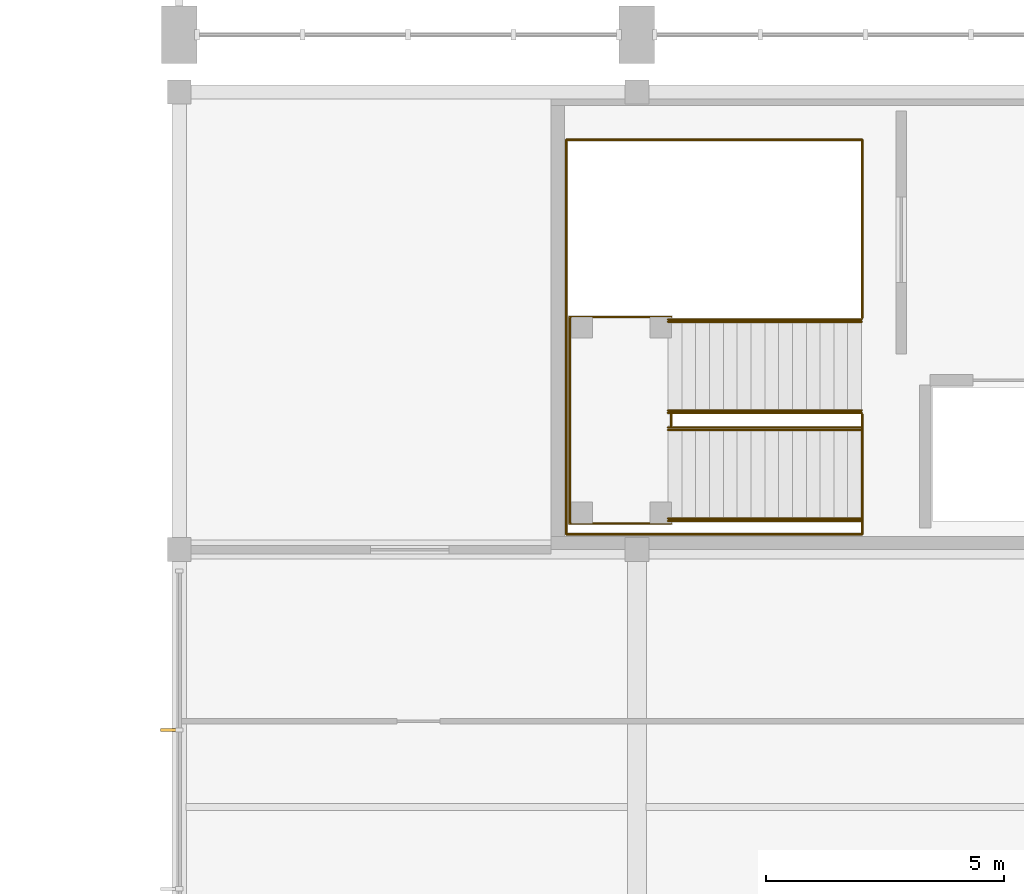
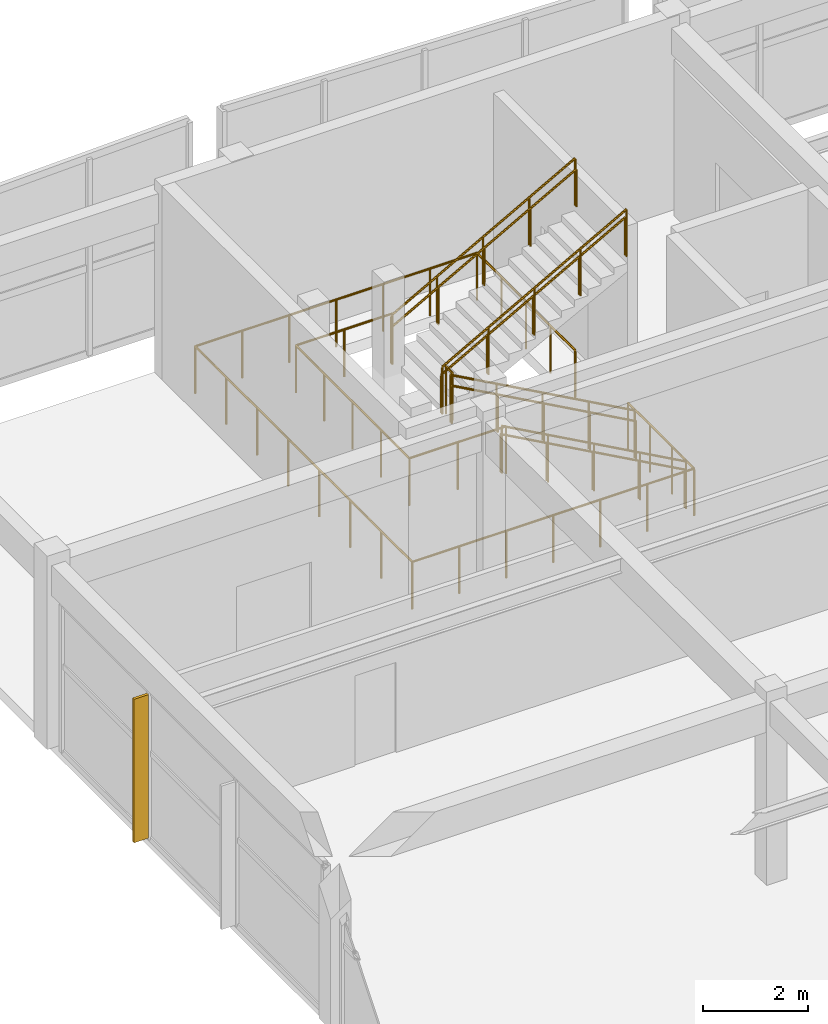
# One storey, part 85 of 89: 11 railings, 1 shading device.
"""IFC4 building model written with IfcOpenShell, lengths in metres."""

import ifcopenshell
import ifcopenshell.guid

model = None  # the IFC model being written
_history = None  # IfcOwnerHistory: only IFC2X3 demands one
_inside = {}  # id of a spatial element -> (the spatial element, [elements in it])
_under = {}  # id of a project, library or spatial element -> (it, [spatial elements below it])
_declared = {}  # id of a project -> (the project, [libraries it declares])
_typed = {}  # id of a type object -> (the type object, [elements of that type])
_made_of = {}  # id of a material, layer set ... -> (it, [elements and type objects made of it])


def new_model(schema):
    """Start an empty IFC model of exactly this schema.

    Asked for "IFC4X3", IfcOpenShell would pick the latest addendum, in which some entities
    have other attributes; the version numbers below select the first issue.
    IFC2X3 requires an IfcOwnerHistory on every rooted entity: one is made here for all.
    """
    global model, _history
    if schema == "IFC4X3":
        model = ifcopenshell.file(schema_version=(4, 3, 0, 0))
    else:
        model = ifcopenshell.file(schema=schema)
    _inside.clear()
    _under.clear()
    _declared.clear()
    _typed.clear()
    _made_of.clear()
    _history = None
    if model.schema == "IFC2X3":
        org = make("IfcOrganization", Name="unknown")
        user = make(
            "IfcPersonAndOrganization",
            ThePerson=make("IfcPerson", FamilyName="unknown"),
            TheOrganization=org,
        )
        app = make(
            "IfcApplication",
            ApplicationDeveloper=org,
            Version="unknown",
            ApplicationFullName="unknown",
            ApplicationIdentifier="unknown",
        )
        _history = make(
            "IfcOwnerHistory",
            OwningUser=user,
            OwningApplication=app,
            ChangeAction="ADDED",
            CreationDate=0,
        )
    return model


def make(cls, **values):
    """One entity of the class cls with the attributes given. An attribute that is None is left unset."""
    return model.create_entity(
        cls, **{name: value for name, value in values.items() if value is not None}
    )


def rooted(cls, **values):
    """An entity with a GlobalId (a new one), such as an element, a storey or a relation."""
    return make(cls, GlobalId=ifcopenshell.guid.new(), OwnerHistory=_history, **values)


def si_unit(unit_type, name, prefix=None):
    """IfcSIUnit, for example si_unit("LENGTHUNIT", "METRE", prefix="MILLI")."""
    return make("IfcSIUnit", UnitType=unit_type, Prefix=prefix, Name=name)


def assignment(units):
    """IfcUnitAssignment: the units of a project."""
    return None if units is None else make("IfcUnitAssignment", Units=units)


def point(xyz):
    """IfcCartesianPoint."""
    return None if xyz is None else make("IfcCartesianPoint", Coordinates=xyz)


def direction(xyz):
    """IfcDirection."""
    return None if xyz is None else make("IfcDirection", DirectionRatios=xyz)


def frame(location, z_axis=None, x_axis=None):
    """IfcAxis2Placement3D, a coordinate frame: its origin and axes. An axis left out is left unset."""
    return make(
        "IfcAxis2Placement3D",
        Location=point(location),
        Axis=direction(z_axis),
        RefDirection=direction(x_axis),
    )


def frame_2d(location, x_axis=None):
    """IfcAxis2Placement2D, a coordinate frame in the plane: its origin and x axis."""
    return make(
        "IfcAxis2Placement2D", Location=point(location), RefDirection=direction(x_axis)
    )


def origin():
    """The frame at (0, 0, 0) with its axes left unset."""
    return frame((0.0, 0.0, 0.0))


def origin_2d():
    """The frame at (0, 0) in the plane with its x axis left unset."""
    return frame_2d((0.0, 0.0))


def place(relative_to, where):
    """IfcLocalPlacement: puts the frame where relative to a parent placement (None: the world)."""
    return make(
        "IfcLocalPlacement", PlacementRelTo=relative_to, RelativePlacement=where
    )


def context(
    kind, dimensions, precision=None, world=None, true_north=None, identifier=None
):
    """IfcGeometricRepresentationContext, for example the 3D "Model" context."""
    return make(
        "IfcGeometricRepresentationContext",
        ContextIdentifier=identifier,
        ContextType=kind,
        CoordinateSpaceDimension=dimensions,
        Precision=precision,
        WorldCoordinateSystem=world,
        TrueNorth=true_north,
    )


def subcontext(parent, identifier, kind, view, scale=None):
    """IfcGeometricRepresentationSubContext, for example "Body" below "Model"."""
    return make(
        "IfcGeometricRepresentationSubContext",
        ContextIdentifier=identifier,
        ContextType=kind,
        ParentContext=parent,
        TargetScale=scale,
        TargetView=view,
    )


def project(units=None, contexts=None):
    """IfcProject with its units and contexts."""
    return rooted(
        "IfcProject",
        Name="project",
        RepresentationContexts=contexts,
        UnitsInContext=assignment(units),
    )


def spatial(cls, under=None, at=None, **own):
    """A site, building, storey or space (cls), placed at a placement, below another one or the project."""
    s = rooted(cls, ObjectPlacement=at, **own)
    if under is not None:
        _under.setdefault(under.id(), (under, []))[1].append(s)
    return s


def profile(cls, at=None, kind="AREA", **sizes):
    """A parametric profile (cls). Its sizes go by their IFC names, for example OverallWidth=200.0."""
    return make(cls, ProfileType=kind, Position=at, **sizes)


def rectangle(**sizes):
    """IfcRectangleProfileDef."""
    return profile("IfcRectangleProfileDef", **sizes)


def circle(**sizes):
    """IfcCircleProfileDef."""
    return profile("IfcCircleProfileDef", **sizes)


def extrude(swept, where, along, depth):
    """IfcExtrudedAreaSolid: the profile swept, set in the frame where, extruded along a direction by depth."""
    return make(
        "IfcExtrudedAreaSolid",
        SweptArea=swept,
        Position=where,
        ExtrudedDirection=direction(along),
        Depth=depth,
    )


def shape(context_of_items, identifier, shape_type, items):
    """IfcShapeRepresentation: the items that make up one representation, for example the "Body"."""
    return make(
        "IfcShapeRepresentation",
        ContextOfItems=context_of_items,
        RepresentationIdentifier=identifier,
        RepresentationType=shape_type,
        Items=items,
    )


def material(Name=None, Category=None):
    """IfcMaterial."""
    return make("IfcMaterial", Name=Name, Category=Category)


def made_of(thing, what):
    """Note that an element or type object is made of a material, layer set ...; save() writes the relation."""
    if what is not None:
        _made_of.setdefault(what.id(), (what, []))[1].append(thing)
    return thing


def type_object(cls, material=None, **own):
    """A type object (cls), such as IfcWallType, which elements share."""
    return made_of(rooted(cls, **own), material)


def element(
    cls,
    number,
    at=None,
    inside=None,
    cuts=None,
    type_object=None,
    material=None,
    context=None,
    identifier="Body",
    shape_type=None,
    held_by="IfcProductDefinitionShape",
    body=None,
    shapes=None,
    **own,
):
    """One element of the class cls, such as IfcWall. Its Tag is "e" and its number.

    at: its placement. inside: the storey or other place that contains it. cuts: it is an
    opening in that element (IfcRelVoidsElement). A single representation is given by context,
    identifier, shape_type and body (its items); several are given by shapes. held_by: the class
    of the entity that holds the representations. save() writes the other relations.
    """
    e = rooted(cls, Tag="e%d" % number, ObjectPlacement=at, **own)
    if body is not None:
        shapes = [shape(context, identifier, shape_type, body)]
    if shapes is not None:
        e.Representation = make(held_by, Representations=shapes)
    if inside is not None:
        _inside.setdefault(inside.id(), (inside, []))[1].append(e)
    if cuts is not None:
        rooted(
            "IfcRelVoidsElement", RelatingBuildingElement=cuts, RelatedOpeningElement=e
        )
    if type_object is not None:
        _typed.setdefault(type_object.id(), (type_object, []))[1].append(e)
    return made_of(e, material)


def aggregate(whole, parts):
    """IfcRelAggregates: a whole, such as a stair, and the parts it consists of."""
    return rooted("IfcRelAggregates", RelatingObject=whole, RelatedObjects=parts)


def save(model, path):
    """Write the relations noted so far, then the file.

    IfcRelAggregates (storeys below a building ...), IfcRelContainedInSpatialStructure (elements
    in a storey), IfcRelDefinesByType, IfcRelAssociatesMaterial and IfcRelDeclares: one each for
    every whole, place, type object, material and project.
    """
    for whole, parts in _under.values():
        aggregate(whole, parts)
    for where, things in _inside.values():
        rooted(
            "IfcRelContainedInSpatialStructure",
            RelatedElements=things,
            RelatingStructure=where,
        )
    for kind, things in _typed.values():
        rooted("IfcRelDefinesByType", RelatedObjects=things, RelatingType=kind)
    for what, things in _made_of.values():
        rooted("IfcRelAssociatesMaterial", RelatedObjects=things, RelatingMaterial=what)
    for by, libraries in _declared.values():
        rooted("IfcRelDeclares", RelatingContext=by, RelatedDefinitions=libraries)
    model.write(path)


model = new_model("IFC4")

# Units and contexts
model_context = context("Model", 3, precision=1e-05, world=origin(), true_north=direction((0.0, 1.0)))
body_context = subcontext(model_context, "Body", "Model", "MODEL_VIEW")
ifc_project = project(units=[si_unit("LENGTHUNIT", "METRE"), si_unit("AREAUNIT", "SQUARE_METRE"), si_unit("VOLUMEUNIT", "CUBIC_METRE"), si_unit("PLANEANGLEUNIT", "RADIAN"), si_unit("MASSUNIT", "GRAM", prefix="KILO")], contexts=[model_context])

# Site, building, storey
site_placement = place(None, origin())
site = spatial("IfcSite", under=ifc_project, at=site_placement, CompositionType="ELEMENT")
building_placement = place(site_placement, origin())
building = spatial("IfcBuilding", under=site, at=building_placement, Name="Suirenkawa Promenade Aquatics Centre", CompositionType="ELEMENT")
storey_placement = place(building_placement, frame((0.0, 0.0, 9.60009765625)))
storey = spatial("IfcBuildingStorey", under=building, at=storey_placement, Name="L02", CompositionType="ELEMENT", Elevation=9.60009765625)

# Railings
ifc_material_1 = material(Name="Marine-grade stainless steel Grade 316L", Category="steel")
railing_type_1 = type_object("IfcRailingType", Name="RLT-GUARD-1120", PredefinedType="GUARDRAIL", material=ifc_material_1)
for number, where, name in (
    (1, (170.31494140625, 42.159912109375, 0.0), "Guardrail GRD-01 RL-0201"),
    (2, (170.31494140625, 40.199951171875, 0.0), "Guardrail GRD-01 RL-0203"),
):
    element("IfcRailing", number, at=place(storey_placement, frame(where)), inside=storey, type_object=railing_type_1, Name=name, PredefinedType="GUARDRAIL", context=body_context, shape_type="SweptSolid", body=[
        extrude(circle(Radius=0.02392578125, at=origin_2d()), frame((0.0, 0.0, 1.09619140625), z_axis=(-0.874667864299, 0.0, 0.484722732254), x_axis=(0.0, -1.0, 0.0)), (0.0, 0.0, 1.0), 4.641845703125),
        extrude(circle(Radius=0.02099609375, at=origin_2d()), origin(), (0.0, 0.0, 1.0), 1.072021484375),
        extrude(circle(Radius=0.02099609375, at=origin_2d()), frame((-1.01513671875, 0.0, 0.5625)), (0.0, 0.0, 1.0), 1.072021484375),
        extrude(circle(Radius=0.02099609375, at=origin_2d()), frame((-2.030029296875, 0.0, 1.125)), (0.0, 0.0, 1.0), 1.072021484375),
        extrude(circle(Radius=0.02099609375, at=origin_2d()), frame((-3.044921875, 0.0, 1.6875)), (0.0, 0.0, 1.0), 1.072021484375),
        extrude(circle(Radius=0.02099609375, at=origin_2d()), frame((-4.06005859375, 0.0, 2.25)), (0.0, 0.0, 1.0), 1.072021484375),
    ])
for number, where, name in (
    (3, (166.2548828125, 42.469970703125, 2.25), "Guardrail GRD-01 RL-0205"),
    (4, (166.2548828125, 44.429931640625, 2.25), "Guardrail GRD-01 RL-0207"),
):
    element("IfcRailing", number, at=place(storey_placement, frame(where)), inside=storey, type_object=railing_type_1, Name=name, PredefinedType="GUARDRAIL", context=body_context, shape_type="SweptSolid", body=[
        extrude(circle(Radius=0.02392578125, at=origin_2d()), frame((0.0, 0.0, 1.09619140625), z_axis=(0.874667864299, 0.0, 0.484722732254), x_axis=(0.0, 1.0, 0.0)), (0.0, 0.0, 1.0), 4.641845703125),
        extrude(circle(Radius=0.02099609375, at=origin_2d()), origin(), (0.0, 0.0, 1.0), 1.072021484375),
        extrude(circle(Radius=0.02099609375, at=origin_2d()), frame((1.01513671875, 0.0, 0.5625)), (0.0, 0.0, 1.0), 1.072021484375),
        extrude(circle(Radius=0.02099609375, at=origin_2d()), frame((2.030029296875, 0.0, 1.125)), (0.0, 0.0, 1.0), 1.072021484375),
        extrude(circle(Radius=0.02099609375, at=origin_2d()), frame((3.044921875, 0.0, 1.6875)), (0.0, 0.0, 1.0), 1.072021484375),
        extrude(circle(Radius=0.02099609375, at=origin_2d()), frame((4.06005859375, 0.0, 2.25)), (0.0, 0.0, 1.0), 1.072021484375),
    ])
railing_1_placement = place(storey_placement, frame((166.320068359375, 40.14990234375, 2.25)))
element("IfcRailing", 5, at=railing_1_placement, inside=storey, type_object=railing_type_1, Name="Guardrail GRD-01 RL-0209", PredefinedType="GUARDRAIL", context=body_context, shape_type="SweptSolid", body=[
    extrude(circle(Radius=0.02392578125, at=origin_2d()), frame((0.0, 0.0, 1.09619140625), z_axis=(-1.0, 0.0, 0.0), x_axis=(0.0, -1.0, 0.0)), (0.0, 0.0, 1.0), 2.130126953125),
    extrude(circle(Radius=0.02392578125, at=origin_2d()), frame((-2.130126953125, 0.0, 1.09619140625), z_axis=(0.0, 1.0, 0.0), x_axis=(-1.0, 0.0, 0.0)), (0.0, 0.0, 1.0), 4.330078125),
    extrude(circle(Radius=0.02392578125, at=origin_2d()), frame((-2.130126953125, 4.330078125, 1.09619140625), z_axis=(1.0, 0.0, 0.0), x_axis=(0.0, 1.0, 0.0)), (0.0, 0.0, 1.0), 2.130126953125),
    extrude(circle(Radius=0.02099609375, at=origin_2d()), origin(), (0.0, 0.0, 1.0), 1.072021484375),
    extrude(circle(Radius=0.02099609375, at=origin_2d()), frame((-1.06494140625, 0.0, 0.0)), (0.0, 0.0, 1.0), 1.072021484375),
    extrude(circle(Radius=0.02099609375, at=origin_2d()), frame((-2.130126953125, 0.0, 0.0)), (0.0, 0.0, 1.0), 1.072021484375),
    extrude(circle(Radius=0.02099609375, at=origin_2d()), frame((-2.130126953125, 1.08251953125, 0.0)), (0.0, 0.0, 1.0), 1.072021484375),
    extrude(circle(Radius=0.02099609375, at=origin_2d()), frame((-2.130126953125, 2.1650390625, 0.0)), (0.0, 0.0, 1.0), 1.072021484375),
    extrude(circle(Radius=0.02099609375, at=origin_2d()), frame((-2.130126953125, 3.24755859375, 0.0)), (0.0, 0.0, 1.0), 1.072021484375),
    extrude(circle(Radius=0.02099609375, at=origin_2d()), frame((-2.130126953125, 4.330078125, 0.0)), (0.0, 0.0, 1.0), 1.072021484375),
    extrude(circle(Radius=0.02099609375, at=origin_2d()), frame((-1.06494140625, 4.330078125, 0.0)), (0.0, 0.0, 1.0), 1.072021484375),
    extrude(circle(Radius=0.02099609375, at=origin_2d()), frame((0.0, 4.330078125, 0.0)), (0.0, 0.0, 1.0), 1.072021484375),
])
railing_2_placement = place(storey_placement, frame((166.320068359375, 42.18994140625, 2.25)))
element("IfcRailing", 6, at=railing_2_placement, inside=storey, type_object=railing_type_1, Name="Guardrail GRD-01 RL-0210", PredefinedType="GUARDRAIL", context=body_context, shape_type="SweptSolid", body=[
    extrude(circle(Radius=0.02392578125, at=origin_2d()), frame((0.0, 0.0, 1.09619140625), z_axis=(0.0, 1.0, 0.0), x_axis=(-1.0, 0.0, 0.0)), (0.0, 0.0, 1.0), 0.25),
    extrude(circle(Radius=0.02099609375, at=origin_2d()), origin(), (0.0, 0.0, 1.0), 1.072021484375),
    extrude(circle(Radius=0.02099609375, at=origin_2d()), frame((0.0, 0.25, 0.0)), (0.0, 0.0, 1.0), 1.072021484375),
])
railing_3_placement = place(storey_placement, frame((170.330078125, 44.4599609375, 0.0)))
element("IfcRailing", 7, at=railing_3_placement, inside=storey, type_object=railing_type_1, Name="Guardrail GRD-01 RL-0421", PredefinedType="GUARDRAIL", context=body_context, shape_type="SweptSolid", body=[
    extrude(circle(Radius=0.02392578125, at=origin_2d()), frame((0.0, 0.0, 1.09619140625), z_axis=(0.0, 1.0, 0.0), x_axis=(-1.0, 0.0, 0.0)), (0.0, 0.0, 1.0), 3.739990234375),
    extrude(circle(Radius=0.02392578125, at=origin_2d()), frame((0.0, 3.739990234375, 1.09619140625), z_axis=(-1.0, 0.0, 0.0), x_axis=(0.0, -1.0, 0.0)), (0.0, 0.0, 1.0), 6.2099609375),
    extrude(circle(Radius=0.02392578125, at=origin_2d()), frame((-6.2099609375, 3.739990234375, 1.09619140625), z_axis=(0.0, -1.0, 0.0), x_axis=(1.0, 0.0, 0.0)), (0.0, 0.0, 1.0), 8.280029296875),
    extrude(circle(Radius=0.02392578125, at=origin_2d()), frame((-6.2099609375, -4.5400390625, 1.09619140625), z_axis=(1.0, 0.0, 0.0), x_axis=(0.0, 1.0, 0.0)), (0.0, 0.0, 1.0), 6.2099609375),
    extrude(circle(Radius=0.02392578125, at=origin_2d()), frame((0.0, -4.5400390625, 1.09619140625), z_axis=(0.0, 1.0, 0.0), x_axis=(-1.0, 0.0, 0.0)), (0.0, 0.0, 1.0), 2.52001953125),
    extrude(circle(Radius=0.02099609375, at=origin_2d()), origin(), (0.0, 0.0, 1.0), 1.072021484375),
    extrude(circle(Radius=0.02099609375, at=origin_2d()), frame((0.0, 0.93505859375, 0.0)), (0.0, 0.0, 1.0), 1.072021484375),
    extrude(circle(Radius=0.02099609375, at=origin_2d()), frame((0.0, 1.8701171875, 0.0)), (0.0, 0.0, 1.0), 1.072021484375),
    extrude(circle(Radius=0.02099609375, at=origin_2d()), frame((0.0, 2.804931640625, 0.0)), (0.0, 0.0, 1.0), 1.072021484375),
    extrude(circle(Radius=0.02099609375, at=origin_2d()), frame((0.0, 3.739990234375, 0.0)), (0.0, 0.0, 1.0), 1.072021484375),
    extrude(circle(Radius=0.02099609375, at=origin_2d()), frame((-1.034912109375, 3.739990234375, 0.0)), (0.0, 0.0, 1.0), 1.072021484375),
    extrude(circle(Radius=0.02099609375, at=origin_2d()), frame((-2.070068359375, 3.739990234375, 0.0)), (0.0, 0.0, 1.0), 1.072021484375),
    extrude(circle(Radius=0.02099609375, at=origin_2d()), frame((-3.10498046875, 3.739990234375, 0.0)), (0.0, 0.0, 1.0), 1.072021484375),
    extrude(circle(Radius=0.02099609375, at=origin_2d()), frame((-4.139892578125, 3.739990234375, 0.0)), (0.0, 0.0, 1.0), 1.072021484375),
    extrude(circle(Radius=0.02099609375, at=origin_2d()), frame((-5.175048828125, 3.739990234375, 0.0)), (0.0, 0.0, 1.0), 1.072021484375),
    extrude(circle(Radius=0.02099609375, at=origin_2d()), frame((-6.2099609375, 3.739990234375, 0.0)), (0.0, 0.0, 1.0), 1.072021484375),
    extrude(circle(Radius=0.02099609375, at=origin_2d()), frame((-6.2099609375, 2.55712890625, 0.0)), (0.0, 0.0, 1.0), 1.072021484375),
    extrude(circle(Radius=0.02099609375, at=origin_2d()), frame((-6.2099609375, 1.374267578125, 0.0)), (0.0, 0.0, 1.0), 1.072021484375),
    extrude(circle(Radius=0.02099609375, at=origin_2d()), frame((-6.2099609375, 0.19140625, 0.0)), (0.0, 0.0, 1.0), 1.072021484375),
    extrude(circle(Radius=0.02099609375, at=origin_2d()), frame((-6.2099609375, -0.991455078125, 0.0)), (0.0, 0.0, 1.0), 1.072021484375),
    extrude(circle(Radius=0.02099609375, at=origin_2d()), frame((-6.2099609375, -2.17431640625, 0.0)), (0.0, 0.0, 1.0), 1.072021484375),
    extrude(circle(Radius=0.02099609375, at=origin_2d()), frame((-6.2099609375, -3.357177734375, 0.0)), (0.0, 0.0, 1.0), 1.072021484375),
    extrude(circle(Radius=0.02099609375, at=origin_2d()), frame((-6.2099609375, -4.5400390625, 0.0)), (0.0, 0.0, 1.0), 1.072021484375),
    extrude(circle(Radius=0.02099609375, at=origin_2d()), frame((-5.175048828125, -4.5400390625, 0.0)), (0.0, 0.0, 1.0), 1.072021484375),
    extrude(circle(Radius=0.02099609375, at=origin_2d()), frame((-4.139892578125, -4.5400390625, 0.0)), (0.0, 0.0, 1.0), 1.072021484375),
    extrude(circle(Radius=0.02099609375, at=origin_2d()), frame((-3.10498046875, -4.5400390625, 0.0)), (0.0, 0.0, 1.0), 1.072021484375),
    extrude(circle(Radius=0.02099609375, at=origin_2d()), frame((-2.070068359375, -4.5400390625, 0.0)), (0.0, 0.0, 1.0), 1.072021484375),
    extrude(circle(Radius=0.02099609375, at=origin_2d()), frame((-1.034912109375, -4.5400390625, 0.0)), (0.0, 0.0, 1.0), 1.072021484375),
    extrude(circle(Radius=0.02099609375, at=origin_2d()), frame((0.0, -4.5400390625, 0.0)), (0.0, 0.0, 1.0), 1.072021484375),
    extrude(circle(Radius=0.02099609375, at=origin_2d()), frame((0.0, -3.699951171875, 0.0)), (0.0, 0.0, 1.0), 1.072021484375),
    extrude(circle(Radius=0.02099609375, at=origin_2d()), frame((0.0, -2.860107421875, 0.0)), (0.0, 0.0, 1.0), 1.072021484375),
    extrude(circle(Radius=0.02099609375, at=origin_2d()), frame((0.0, -2.02001953125, 0.0)), (0.0, 0.0, 1.0), 1.072021484375),
])
railing_type_2 = type_object("IfcRailingType", Name="RLT-HANDRAIL-900", PredefinedType="HANDRAIL", material=ifc_material_1)
for number, where, name in (
    (8, (170.31494140625, 42.110107421875, 0.0), "Handrail HRL-01 RL-0202"),
    (9, (170.31494140625, 40.25, 0.0), "Handrail HRL-01 RL-0204"),
):
    element("IfcRailing", number, at=place(storey_placement, frame(where)), inside=storey, type_object=railing_type_2, Name=name, PredefinedType="HANDRAIL", context=body_context, shape_type="SweptSolid", body=[
        extrude(circle(Radius=0.02392578125, at=origin_2d()), frame((0.0, 0.0, 0.8759765625), z_axis=(-0.874667864299, 0.0, 0.484722732254), x_axis=(0.0, -1.0, 0.0)), (0.0, 0.0, 1.0), 4.641845703125),
        extrude(circle(Radius=0.02099609375, at=origin_2d()), origin(), (0.0, 0.0, 1.0), 0.851806640625),
        extrude(circle(Radius=0.02099609375, at=origin_2d()), frame((-1.01513671875, 0.0, 0.5625)), (0.0, 0.0, 1.0), 0.851806640625),
        extrude(circle(Radius=0.02099609375, at=origin_2d()), frame((-2.030029296875, 0.0, 1.125)), (0.0, 0.0, 1.0), 0.851806640625),
        extrude(circle(Radius=0.02099609375, at=origin_2d()), frame((-3.044921875, 0.0, 1.6875)), (0.0, 0.0, 1.0), 0.851806640625),
        extrude(circle(Radius=0.02099609375, at=origin_2d()), frame((-4.06005859375, 0.0, 2.25)), (0.0, 0.0, 1.0), 0.851806640625),
    ])
for number, where, name in (
    (10, (166.2548828125, 42.52001953125, 2.25), "Handrail HRL-01 RL-0206"),
    (11, (166.2548828125, 44.3798828125, 2.25), "Handrail HRL-01 RL-0208"),
):
    element("IfcRailing", number, at=place(storey_placement, frame(where)), inside=storey, type_object=railing_type_2, Name=name, PredefinedType="HANDRAIL", context=body_context, shape_type="SweptSolid", body=[
        extrude(circle(Radius=0.02392578125, at=origin_2d()), frame((0.0, 0.0, 0.8759765625), z_axis=(0.874667864299, 0.0, 0.484722732254), x_axis=(0.0, 1.0, 0.0)), (0.0, 0.0, 1.0), 4.641845703125),
        extrude(circle(Radius=0.02099609375, at=origin_2d()), origin(), (0.0, 0.0, 1.0), 0.851806640625),
        extrude(circle(Radius=0.02099609375, at=origin_2d()), frame((1.01513671875, 0.0, 0.5625)), (0.0, 0.0, 1.0), 0.851806640625),
        extrude(circle(Radius=0.02099609375, at=origin_2d()), frame((2.030029296875, 0.0, 1.125)), (0.0, 0.0, 1.0), 0.851806640625),
        extrude(circle(Radius=0.02099609375, at=origin_2d()), frame((3.044921875, 0.0, 1.6875)), (0.0, 0.0, 1.0), 0.851806640625),
        extrude(circle(Radius=0.02099609375, at=origin_2d()), frame((4.06005859375, 0.0, 2.25)), (0.0, 0.0, 1.0), 0.851806640625),
    ])

# Shading device
ifc_material_2 = material(Name="Anodised aluminium 6063-T6", Category="aluminium")
shading_device_type = type_object("IfcShadingDeviceType", Name="SDT-KOUSHI-320", PredefinedType="USERDEFINED", material=ifc_material_2)
shading_device_placement = place(storey_placement, frame((155.76806640625, 35.81689453125, 0.0400390625), z_axis=(0.0, 0.0, 1.0), x_axis=(-1.0, 0.0, 0.0)))
element("IfcShadingDevice", 12, at=shading_device_placement, inside=storey, type_object=shading_device_type, Name="Vertical solar shading fin FN-02 FIN-0060", ObjectType="FIN", PredefinedType="USERDEFINED", context=body_context, shape_type="SweptSolid", body=[
    extrude(rectangle(XDim=0.320068359375, YDim=0.06005859375, at=origin_2d()), origin(), (0.0, 0.0, 1.0), 3.340087890625),
])

save(model, "model.ifc")
